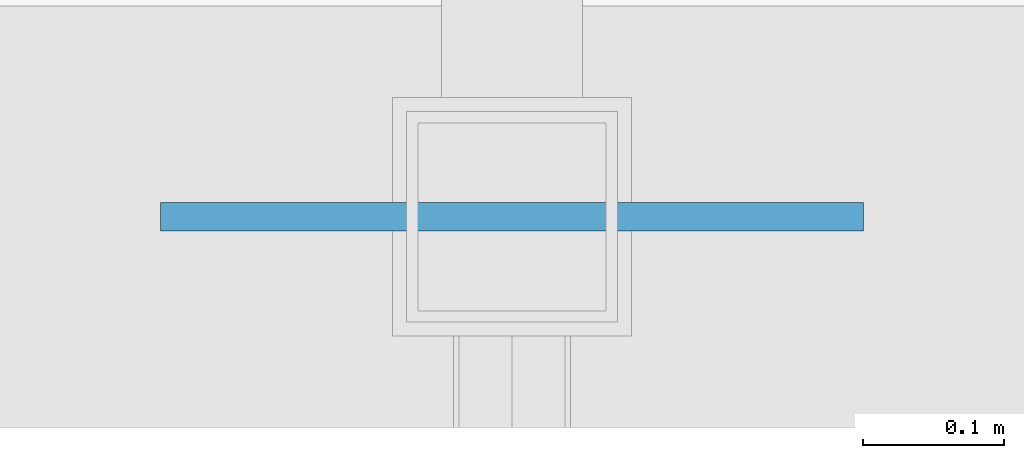
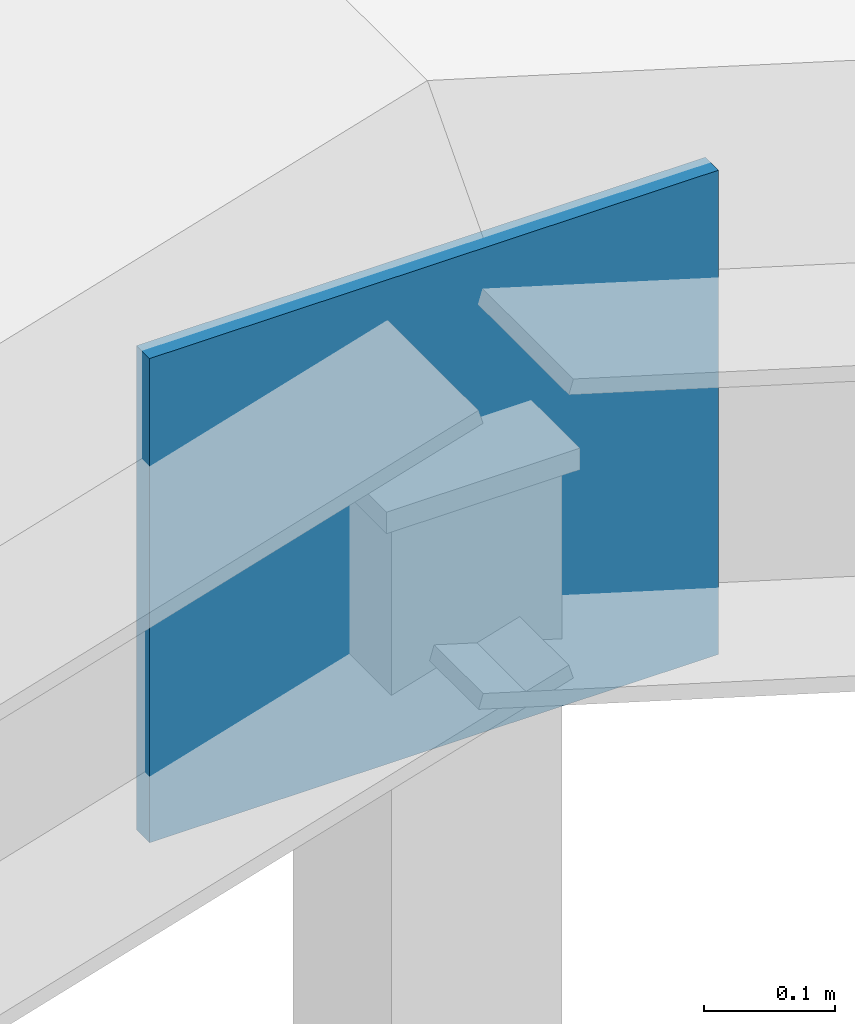
# One storey, part 168 of 204: 1 plate.
"""IFC4 building model written with IfcOpenShell, lengths in metres."""

import ifcopenshell
import ifcopenshell.guid

model = None  # the IFC model being written
_history = None  # IfcOwnerHistory: only IFC2X3 demands one
_inside = {}  # id of a spatial element -> (the spatial element, [elements in it])
_under = {}  # id of a project, library or spatial element -> (it, [spatial elements below it])
_declared = {}  # id of a project -> (the project, [libraries it declares])
_typed = {}  # id of a type object -> (the type object, [elements of that type])
_made_of = {}  # id of a material, layer set ... -> (it, [elements and type objects made of it])


def new_model(schema):
    """Start an empty IFC model of exactly this schema.

    Asked for "IFC4X3", IfcOpenShell would pick the latest addendum, in which some entities
    have other attributes; the version numbers below select the first issue.
    IFC2X3 requires an IfcOwnerHistory on every rooted entity: one is made here for all.
    """
    global model, _history
    if schema == "IFC4X3":
        model = ifcopenshell.file(schema_version=(4, 3, 0, 0))
    else:
        model = ifcopenshell.file(schema=schema)
    _inside.clear()
    _under.clear()
    _declared.clear()
    _typed.clear()
    _made_of.clear()
    _history = None
    if model.schema == "IFC2X3":
        org = make("IfcOrganization", Name="unknown")
        user = make(
            "IfcPersonAndOrganization",
            ThePerson=make("IfcPerson", FamilyName="unknown"),
            TheOrganization=org,
        )
        app = make(
            "IfcApplication",
            ApplicationDeveloper=org,
            Version="unknown",
            ApplicationFullName="unknown",
            ApplicationIdentifier="unknown",
        )
        _history = make(
            "IfcOwnerHistory",
            OwningUser=user,
            OwningApplication=app,
            ChangeAction="ADDED",
            CreationDate=0,
        )
    return model


def make(cls, **values):
    """One entity of the class cls with the attributes given. An attribute that is None is left unset."""
    return model.create_entity(
        cls, **{name: value for name, value in values.items() if value is not None}
    )


def rooted(cls, **values):
    """An entity with a GlobalId (a new one), such as an element, a storey or a relation."""
    return make(cls, GlobalId=ifcopenshell.guid.new(), OwnerHistory=_history, **values)


def si_unit(unit_type, name, prefix=None):
    """IfcSIUnit, for example si_unit("LENGTHUNIT", "METRE", prefix="MILLI")."""
    return make("IfcSIUnit", UnitType=unit_type, Prefix=prefix, Name=name)


def assignment(units):
    """IfcUnitAssignment: the units of a project."""
    return None if units is None else make("IfcUnitAssignment", Units=units)


def point(xyz):
    """IfcCartesianPoint."""
    return None if xyz is None else make("IfcCartesianPoint", Coordinates=xyz)


def direction(xyz):
    """IfcDirection."""
    return None if xyz is None else make("IfcDirection", DirectionRatios=xyz)


def frame(location, z_axis=None, x_axis=None):
    """IfcAxis2Placement3D, a coordinate frame: its origin and axes. An axis left out is left unset."""
    return make(
        "IfcAxis2Placement3D",
        Location=point(location),
        Axis=direction(z_axis),
        RefDirection=direction(x_axis),
    )


def frame_2d(location, x_axis=None):
    """IfcAxis2Placement2D, a coordinate frame in the plane: its origin and x axis."""
    return make(
        "IfcAxis2Placement2D", Location=point(location), RefDirection=direction(x_axis)
    )


def origin():
    """The frame at (0, 0, 0) with its axes left unset."""
    return frame((0.0, 0.0, 0.0))


def origin_2d():
    """The frame at (0, 0) in the plane with its x axis left unset."""
    return frame_2d((0.0, 0.0))


def place(relative_to, where):
    """IfcLocalPlacement: puts the frame where relative to a parent placement (None: the world)."""
    return make(
        "IfcLocalPlacement", PlacementRelTo=relative_to, RelativePlacement=where
    )


def context(
    kind, dimensions, precision=None, world=None, true_north=None, identifier=None
):
    """IfcGeometricRepresentationContext, for example the 3D "Model" context."""
    return make(
        "IfcGeometricRepresentationContext",
        ContextIdentifier=identifier,
        ContextType=kind,
        CoordinateSpaceDimension=dimensions,
        Precision=precision,
        WorldCoordinateSystem=world,
        TrueNorth=true_north,
    )


def subcontext(parent, identifier, kind, view, scale=None):
    """IfcGeometricRepresentationSubContext, for example "Body" below "Model"."""
    return make(
        "IfcGeometricRepresentationSubContext",
        ContextIdentifier=identifier,
        ContextType=kind,
        ParentContext=parent,
        TargetScale=scale,
        TargetView=view,
    )


def project(units=None, contexts=None):
    """IfcProject with its units and contexts."""
    return rooted(
        "IfcProject",
        Name="project",
        RepresentationContexts=contexts,
        UnitsInContext=assignment(units),
    )


def spatial(cls, under=None, at=None, **own):
    """A site, building, storey or space (cls), placed at a placement, below another one or the project."""
    s = rooted(cls, ObjectPlacement=at, **own)
    if under is not None:
        _under.setdefault(under.id(), (under, []))[1].append(s)
    return s


def profile(cls, at=None, kind="AREA", **sizes):
    """A parametric profile (cls). Its sizes go by their IFC names, for example OverallWidth=200.0."""
    return make(cls, ProfileType=kind, Position=at, **sizes)


def rectangle(**sizes):
    """IfcRectangleProfileDef."""
    return profile("IfcRectangleProfileDef", **sizes)


def extrude(swept, where, along, depth):
    """IfcExtrudedAreaSolid: the profile swept, set in the frame where, extruded along a direction by depth."""
    return make(
        "IfcExtrudedAreaSolid",
        SweptArea=swept,
        Position=where,
        ExtrudedDirection=direction(along),
        Depth=depth,
    )


def shape(context_of_items, identifier, shape_type, items):
    """IfcShapeRepresentation: the items that make up one representation, for example the "Body"."""
    return make(
        "IfcShapeRepresentation",
        ContextOfItems=context_of_items,
        RepresentationIdentifier=identifier,
        RepresentationType=shape_type,
        Items=items,
    )


def material(Name=None, Category=None):
    """IfcMaterial."""
    return make("IfcMaterial", Name=Name, Category=Category)


def layer(
    of_material, thickness, ventilated=None, Name=None, Category=None, Priority=None
):
    """IfcMaterialLayer: one layer of a wall or slab, of a material (None: an air gap)."""
    return make(
        "IfcMaterialLayer",
        Material=of_material,
        LayerThickness=thickness,
        IsVentilated=ventilated,
        Name=Name,
        Category=Category,
        Priority=Priority,
    )


def layer_set(layers, Name=None):
    """IfcMaterialLayerSet."""
    return make("IfcMaterialLayerSet", MaterialLayers=layers, LayerSetName=Name)


def made_of(thing, what):
    """Note that an element or type object is made of a material, layer set ...; save() writes the relation."""
    if what is not None:
        _made_of.setdefault(what.id(), (what, []))[1].append(thing)
    return thing


def type_object(cls, material=None, **own):
    """A type object (cls), such as IfcWallType, which elements share."""
    return made_of(rooted(cls, **own), material)


def element(
    cls,
    number,
    at=None,
    inside=None,
    cuts=None,
    type_object=None,
    material=None,
    context=None,
    identifier="Body",
    shape_type=None,
    held_by="IfcProductDefinitionShape",
    body=None,
    shapes=None,
    **own,
):
    """One element of the class cls, such as IfcWall. Its Tag is "e" and its number.

    at: its placement. inside: the storey or other place that contains it. cuts: it is an
    opening in that element (IfcRelVoidsElement). A single representation is given by context,
    identifier, shape_type and body (its items); several are given by shapes. held_by: the class
    of the entity that holds the representations. save() writes the other relations.
    """
    e = rooted(cls, Tag="e%d" % number, ObjectPlacement=at, **own)
    if body is not None:
        shapes = [shape(context, identifier, shape_type, body)]
    if shapes is not None:
        e.Representation = make(held_by, Representations=shapes)
    if inside is not None:
        _inside.setdefault(inside.id(), (inside, []))[1].append(e)
    if cuts is not None:
        rooted(
            "IfcRelVoidsElement", RelatingBuildingElement=cuts, RelatedOpeningElement=e
        )
    if type_object is not None:
        _typed.setdefault(type_object.id(), (type_object, []))[1].append(e)
    return made_of(e, material)


def aggregate(whole, parts):
    """IfcRelAggregates: a whole, such as a stair, and the parts it consists of."""
    return rooted("IfcRelAggregates", RelatingObject=whole, RelatedObjects=parts)


def save(model, path):
    """Write the relations noted so far, then the file.

    IfcRelAggregates (storeys below a building ...), IfcRelContainedInSpatialStructure (elements
    in a storey), IfcRelDefinesByType, IfcRelAssociatesMaterial and IfcRelDeclares: one each for
    every whole, place, type object, material and project.
    """
    for whole, parts in _under.values():
        aggregate(whole, parts)
    for where, things in _inside.values():
        rooted(
            "IfcRelContainedInSpatialStructure",
            RelatedElements=things,
            RelatingStructure=where,
        )
    for kind, things in _typed.values():
        rooted("IfcRelDefinesByType", RelatedObjects=things, RelatingType=kind)
    for what, things in _made_of.values():
        rooted("IfcRelAssociatesMaterial", RelatedObjects=things, RelatingMaterial=what)
    for by, libraries in _declared.values():
        rooted("IfcRelDeclares", RelatingContext=by, RelatedDefinitions=libraries)
    model.write(path)


model = new_model("IFC4")

# Units and contexts
model_context = context("Model", 3, precision=1e-05, world=origin(), true_north=direction((0.0, 1.0)))
body_context = subcontext(model_context, "Body", "Model", "MODEL_VIEW")
ifc_project = project(units=[si_unit("LENGTHUNIT", "METRE"), si_unit("AREAUNIT", "SQUARE_METRE"), si_unit("VOLUMEUNIT", "CUBIC_METRE"), si_unit("PLANEANGLEUNIT", "RADIAN"), si_unit("MASSUNIT", "GRAM", prefix="KILO")], contexts=[model_context])

# Site, building, storey
site_placement = place(None, origin())
site = spatial("IfcSite", under=ifc_project, at=site_placement, CompositionType="ELEMENT")
building_placement = place(site_placement, origin())
building = spatial("IfcBuilding", under=site, at=building_placement, Name="Zilviju Railside Exhibition Hall", CompositionType="ELEMENT")
storey_placement = place(building_placement, frame((0.0, 0.0, 21.0)))
storey = spatial("IfcBuildingStorey", under=building, at=storey_placement, Name="RF", CompositionType="ELEMENT", Elevation=21.0)

# Plate
ifc_material = material(Name="Steel S355J2", Category="steel")
ifc_layer = layer(ifc_material, 0.02001953125)
ifc_layer_set = layer_set([ifc_layer], Name="Steel S355J2")
plate_type = type_object("IfcPlateType", Name="PLATE-GP-20", PredefinedType="SHEET", material=ifc_layer_set)
plate_placement = place(storey_placement, frame((63.0, 18.0, -4.1748046875), z_axis=(0.0, 0.0, 1.0), x_axis=(1.0, 0.0, 0.0)))
element("IfcPlate", 1, at=plate_placement, inside=storey, type_object=plate_type, Name="Concourse Apex Gusset Y=18.0", PredefinedType="SHEET", context=body_context, shape_type="SweptSolid", body=[
    extrude(rectangle(XDim=0.5, YDim=0.02001953125, at=origin_2d()), origin(), (0.0, 0.0, 1.0), 0.449951171875),
])

save(model, "model.ifc")
